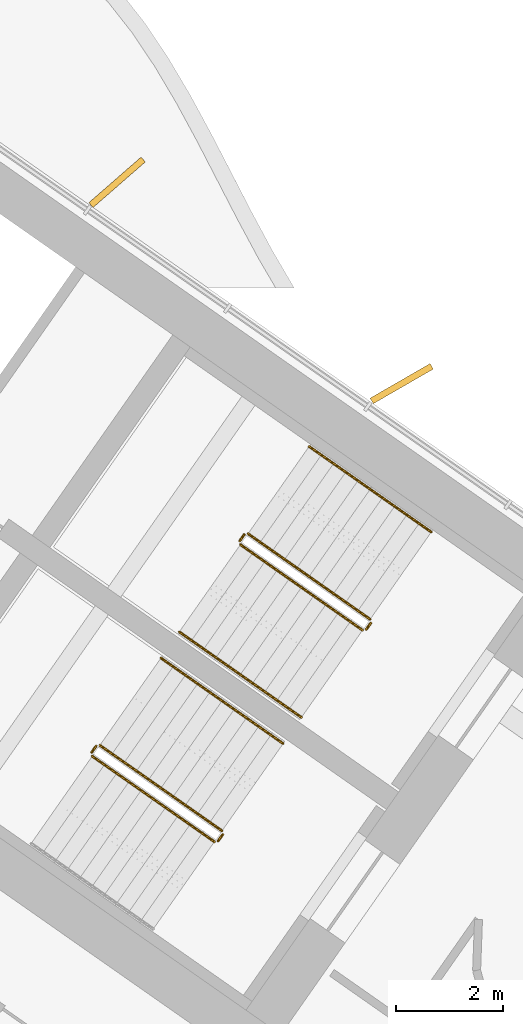
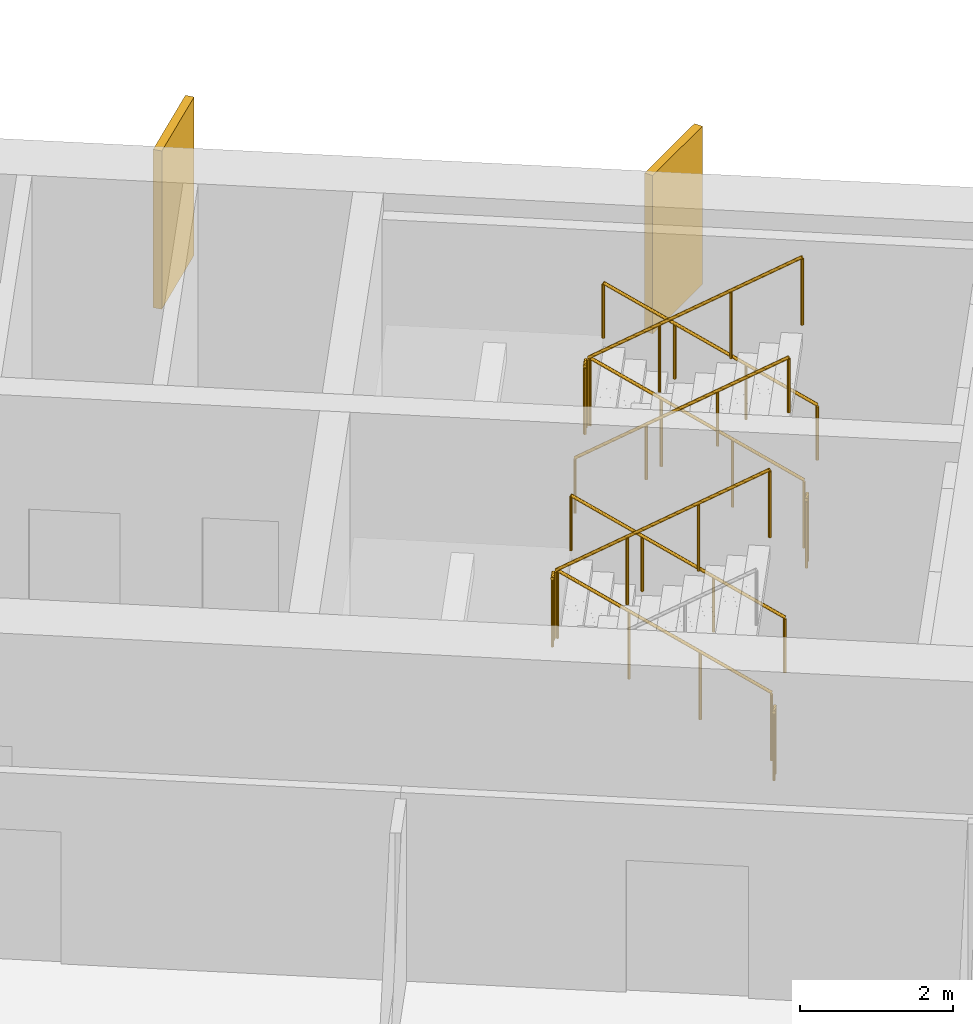
# One storey, part 20 of 21: 11 railings, 2 shading devices.
"""IFC4 building model written with IfcOpenShell, lengths in metres."""

import ifcopenshell
import ifcopenshell.guid

model = None  # the IFC model being written
_history = None  # IfcOwnerHistory: only IFC2X3 demands one
_inside = {}  # id of a spatial element -> (the spatial element, [elements in it])
_under = {}  # id of a project, library or spatial element -> (it, [spatial elements below it])
_declared = {}  # id of a project -> (the project, [libraries it declares])
_typed = {}  # id of a type object -> (the type object, [elements of that type])
_made_of = {}  # id of a material, layer set ... -> (it, [elements and type objects made of it])


def new_model(schema):
    """Start an empty IFC model of exactly this schema.

    Asked for "IFC4X3", IfcOpenShell would pick the latest addendum, in which some entities
    have other attributes; the version numbers below select the first issue.
    IFC2X3 requires an IfcOwnerHistory on every rooted entity: one is made here for all.
    """
    global model, _history
    if schema == "IFC4X3":
        model = ifcopenshell.file(schema_version=(4, 3, 0, 0))
    else:
        model = ifcopenshell.file(schema=schema)
    _inside.clear()
    _under.clear()
    _declared.clear()
    _typed.clear()
    _made_of.clear()
    _history = None
    if model.schema == "IFC2X3":
        org = make("IfcOrganization", Name="unknown")
        user = make(
            "IfcPersonAndOrganization",
            ThePerson=make("IfcPerson", FamilyName="unknown"),
            TheOrganization=org,
        )
        app = make(
            "IfcApplication",
            ApplicationDeveloper=org,
            Version="unknown",
            ApplicationFullName="unknown",
            ApplicationIdentifier="unknown",
        )
        _history = make(
            "IfcOwnerHistory",
            OwningUser=user,
            OwningApplication=app,
            ChangeAction="ADDED",
            CreationDate=0,
        )
    return model


def make(cls, **values):
    """One entity of the class cls with the attributes given. An attribute that is None is left unset."""
    return model.create_entity(
        cls, **{name: value for name, value in values.items() if value is not None}
    )


def rooted(cls, **values):
    """An entity with a GlobalId (a new one), such as an element, a storey or a relation."""
    return make(cls, GlobalId=ifcopenshell.guid.new(), OwnerHistory=_history, **values)


def si_unit(unit_type, name, prefix=None):
    """IfcSIUnit, for example si_unit("LENGTHUNIT", "METRE", prefix="MILLI")."""
    return make("IfcSIUnit", UnitType=unit_type, Prefix=prefix, Name=name)


def assignment(units):
    """IfcUnitAssignment: the units of a project."""
    return None if units is None else make("IfcUnitAssignment", Units=units)


def point(xyz):
    """IfcCartesianPoint."""
    return None if xyz is None else make("IfcCartesianPoint", Coordinates=xyz)


def direction(xyz):
    """IfcDirection."""
    return None if xyz is None else make("IfcDirection", DirectionRatios=xyz)


def frame(location, z_axis=None, x_axis=None):
    """IfcAxis2Placement3D, a coordinate frame: its origin and axes. An axis left out is left unset."""
    return make(
        "IfcAxis2Placement3D",
        Location=point(location),
        Axis=direction(z_axis),
        RefDirection=direction(x_axis),
    )


def frame_2d(location, x_axis=None):
    """IfcAxis2Placement2D, a coordinate frame in the plane: its origin and x axis."""
    return make(
        "IfcAxis2Placement2D", Location=point(location), RefDirection=direction(x_axis)
    )


def origin():
    """The frame at (0, 0, 0) with its axes left unset."""
    return frame((0.0, 0.0, 0.0))


def origin_2d():
    """The frame at (0, 0) in the plane with its x axis left unset."""
    return frame_2d((0.0, 0.0))


def place(relative_to, where):
    """IfcLocalPlacement: puts the frame where relative to a parent placement (None: the world)."""
    return make(
        "IfcLocalPlacement", PlacementRelTo=relative_to, RelativePlacement=where
    )


def context(
    kind, dimensions, precision=None, world=None, true_north=None, identifier=None
):
    """IfcGeometricRepresentationContext, for example the 3D "Model" context."""
    return make(
        "IfcGeometricRepresentationContext",
        ContextIdentifier=identifier,
        ContextType=kind,
        CoordinateSpaceDimension=dimensions,
        Precision=precision,
        WorldCoordinateSystem=world,
        TrueNorth=true_north,
    )


def subcontext(parent, identifier, kind, view, scale=None):
    """IfcGeometricRepresentationSubContext, for example "Body" below "Model"."""
    return make(
        "IfcGeometricRepresentationSubContext",
        ContextIdentifier=identifier,
        ContextType=kind,
        ParentContext=parent,
        TargetScale=scale,
        TargetView=view,
    )


def project(units=None, contexts=None):
    """IfcProject with its units and contexts."""
    return rooted(
        "IfcProject",
        Name="project",
        RepresentationContexts=contexts,
        UnitsInContext=assignment(units),
    )


def spatial(cls, under=None, at=None, **own):
    """A site, building, storey or space (cls), placed at a placement, below another one or the project."""
    s = rooted(cls, ObjectPlacement=at, **own)
    if under is not None:
        _under.setdefault(under.id(), (under, []))[1].append(s)
    return s


def profile(cls, at=None, kind="AREA", **sizes):
    """A parametric profile (cls). Its sizes go by their IFC names, for example OverallWidth=200.0."""
    return make(cls, ProfileType=kind, Position=at, **sizes)


def rectangle(**sizes):
    """IfcRectangleProfileDef."""
    return profile("IfcRectangleProfileDef", **sizes)


def circle(**sizes):
    """IfcCircleProfileDef."""
    return profile("IfcCircleProfileDef", **sizes)


def extrude(swept, where, along, depth):
    """IfcExtrudedAreaSolid: the profile swept, set in the frame where, extruded along a direction by depth."""
    return make(
        "IfcExtrudedAreaSolid",
        SweptArea=swept,
        Position=where,
        ExtrudedDirection=direction(along),
        Depth=depth,
    )


def shape(context_of_items, identifier, shape_type, items):
    """IfcShapeRepresentation: the items that make up one representation, for example the "Body"."""
    return make(
        "IfcShapeRepresentation",
        ContextOfItems=context_of_items,
        RepresentationIdentifier=identifier,
        RepresentationType=shape_type,
        Items=items,
    )


def material(Name=None, Category=None):
    """IfcMaterial."""
    return make("IfcMaterial", Name=Name, Category=Category)


def layer(
    of_material, thickness, ventilated=None, Name=None, Category=None, Priority=None
):
    """IfcMaterialLayer: one layer of a wall or slab, of a material (None: an air gap)."""
    return make(
        "IfcMaterialLayer",
        Material=of_material,
        LayerThickness=thickness,
        IsVentilated=ventilated,
        Name=Name,
        Category=Category,
        Priority=Priority,
    )


def layer_set(layers, Name=None):
    """IfcMaterialLayerSet."""
    return make("IfcMaterialLayerSet", MaterialLayers=layers, LayerSetName=Name)


def made_of(thing, what):
    """Note that an element or type object is made of a material, layer set ...; save() writes the relation."""
    if what is not None:
        _made_of.setdefault(what.id(), (what, []))[1].append(thing)
    return thing


def type_object(cls, material=None, **own):
    """A type object (cls), such as IfcWallType, which elements share."""
    return made_of(rooted(cls, **own), material)


def element(
    cls,
    number,
    at=None,
    inside=None,
    cuts=None,
    type_object=None,
    material=None,
    context=None,
    identifier="Body",
    shape_type=None,
    held_by="IfcProductDefinitionShape",
    body=None,
    shapes=None,
    **own,
):
    """One element of the class cls, such as IfcWall. Its Tag is "e" and its number.

    at: its placement. inside: the storey or other place that contains it. cuts: it is an
    opening in that element (IfcRelVoidsElement). A single representation is given by context,
    identifier, shape_type and body (its items); several are given by shapes. held_by: the class
    of the entity that holds the representations. save() writes the other relations.
    """
    e = rooted(cls, Tag="e%d" % number, ObjectPlacement=at, **own)
    if body is not None:
        shapes = [shape(context, identifier, shape_type, body)]
    if shapes is not None:
        e.Representation = make(held_by, Representations=shapes)
    if inside is not None:
        _inside.setdefault(inside.id(), (inside, []))[1].append(e)
    if cuts is not None:
        rooted(
            "IfcRelVoidsElement", RelatingBuildingElement=cuts, RelatedOpeningElement=e
        )
    if type_object is not None:
        _typed.setdefault(type_object.id(), (type_object, []))[1].append(e)
    return made_of(e, material)


def aggregate(whole, parts):
    """IfcRelAggregates: a whole, such as a stair, and the parts it consists of."""
    return rooted("IfcRelAggregates", RelatingObject=whole, RelatedObjects=parts)


def save(model, path):
    """Write the relations noted so far, then the file.

    IfcRelAggregates (storeys below a building ...), IfcRelContainedInSpatialStructure (elements
    in a storey), IfcRelDefinesByType, IfcRelAssociatesMaterial and IfcRelDeclares: one each for
    every whole, place, type object, material and project.
    """
    for whole, parts in _under.values():
        aggregate(whole, parts)
    for where, things in _inside.values():
        rooted(
            "IfcRelContainedInSpatialStructure",
            RelatedElements=things,
            RelatingStructure=where,
        )
    for kind, things in _typed.values():
        rooted("IfcRelDefinesByType", RelatedObjects=things, RelatingType=kind)
    for what, things in _made_of.values():
        rooted("IfcRelAssociatesMaterial", RelatedObjects=things, RelatingMaterial=what)
    for by, libraries in _declared.values():
        rooted("IfcRelDeclares", RelatingContext=by, RelatedDefinitions=libraries)
    model.write(path)


model = new_model("IFC4")

# Units and contexts
model_context = context("Model", 3, precision=1e-05, world=origin(), true_north=direction((0.0, 1.0)))
body_context = subcontext(model_context, "Body", "Model", "MODEL_VIEW")
ifc_project = project(units=[si_unit("LENGTHUNIT", "METRE"), si_unit("AREAUNIT", "SQUARE_METRE"), si_unit("VOLUMEUNIT", "CUBIC_METRE"), si_unit("PLANEANGLEUNIT", "RADIAN"), si_unit("MASSUNIT", "GRAM", prefix="KILO")], contexts=[model_context])

# Site, building, storey
site_placement = place(None, origin())
site = spatial("IfcSite", under=ifc_project, at=site_placement, CompositionType="ELEMENT")
building_placement = place(site_placement, origin())
building = spatial("IfcBuilding", under=site, at=building_placement, Name="Tel Ilan Convention Tower", CompositionType="ELEMENT")
storey_placement = place(building_placement, frame((0.0, 0.0, 206.10009765625)))
storey = spatial("IfcBuildingStorey", under=building, at=storey_placement, Name="L48", CompositionType="ELEMENT", Elevation=206.10009765625)

# Shading devices
ifc_material_1 = material(Name="Aluminium, bronze anodised", Category="aluminium")
ifc_layer = layer(ifc_material_1, 0.1201171875)
ifc_layer_set = layer_set([ifc_layer], Name="FIN BRONZE 1300x120")
shading_device_type = type_object("IfcShadingDeviceType", Name="FIN BRONZE 1300x120", PredefinedType="USERDEFINED", material=ifc_layer_set)
for number, where, z_axis, x_axis, name in (
    (1, (24.270751953125, -3.427001953125, 1.099853515625), (0.0, 0.0, 1.0), (0.866025403784, 0.5, 0.0), "FIN"),
    (2, (18.926025390625, 0.353271484375, 1.099853515625), (0.0, 0.0, 1.0), (0.753435896329, 0.657521368568, 0.0), "FIN"),
):
    element("IfcShadingDevice", number, at=place(storey_placement, frame(where, z_axis=z_axis, x_axis=x_axis)), inside=storey, type_object=shading_device_type, Name=name, ObjectType="FIN", PredefinedType="USERDEFINED", context=body_context, shape_type="SweptSolid", body=[
        extrude(rectangle(XDim=1.300048828125, YDim=0.1201171875, at=origin_2d()), origin(), (0.0, 0.0, 1.0), 2.52001953125),
    ])

# Railings
ifc_material_2 = material(Name="Stainless Steel Grade 316", Category="steel")
railing_type_1 = type_object("IfcRailingType", Name="Stainless Steel Stair Guard 1100 mm", PredefinedType="GUARDRAIL", material=ifc_material_2)
railing_1_placement = place(storey_placement, frame((23.6787109375, -7.8515625, 0.17724609375)))
element("IfcRailing", 3, at=railing_1_placement, inside=storey, type_object=railing_type_1, Name="L48 S3 stair guard 1", PredefinedType="GUARDRAIL", context=body_context, shape_type="SweptSolid", body=[
    extrude(circle(Radius=0.02392578125, at=origin_2d()), frame((0.0, 0.0, 1.076171875), z_axis=(-0.692084706163, 0.484621375041, 0.534940073605), x_axis=(-0.573591086599, -0.819141785879, 0.0)), (0.0, 0.0, 1.0), 3.313720703125),
    extrude(circle(Radius=0.02099609375, at=origin_2d()), origin(), (0.0, 0.0, 1.0), 1.052001953125),
    extrude(circle(Radius=0.02099609375, at=origin_2d()), frame((-0.764404296875, 0.535400390625, 0.5908203125)), (0.0, 0.0, 1.0), 1.052001953125),
    extrude(circle(Radius=0.02099609375, at=origin_2d()), frame((-1.529052734375, 1.070556640625, 1.181884765625)), (0.0, 0.0, 1.0), 1.052001953125),
    extrude(circle(Radius=0.02099609375, at=origin_2d()), frame((-2.29345703125, 1.60595703125, 1.772705078125)), (0.0, 0.0, 1.0), 1.052001953125),
])
railing_2_placement = place(storey_placement, frame((21.3154296875, -6.2578125, 1.949951171875)))
element("IfcRailing", 4, at=railing_2_placement, inside=storey, type_object=railing_type_1, Name="L48 S3 stair guard 2", PredefinedType="GUARDRAIL", context=body_context, shape_type="SweptSolid", body=[
    extrude(circle(Radius=0.02392578125, at=origin_2d()), frame((0.0, 0.0, 1.076171875), z_axis=(-0.573353020881, -0.819308436089, 0.0), x_axis=(0.819308436089, -0.573353020881, 0.0)), (0.0, 0.0, 1.0), 0.14990234375),
    extrude(circle(Radius=0.02099609375, at=origin_2d()), origin(), (0.0, 0.0, 1.0), 1.052001953125),
    extrude(circle(Radius=0.02099609375, at=origin_2d()), frame((-0.0859375, -0.122802734375, 0.0)), (0.0, 0.0, 1.0), 1.052001953125),
])
railing_3_placement = place(storey_placement, frame((21.24169921875, -6.4501953125, 2.127197265625)))
element("IfcRailing", 5, at=railing_3_placement, inside=storey, type_object=railing_type_1, Name="L48 S3 stair guard 3", PredefinedType="GUARDRAIL", context=body_context, shape_type="SweptSolid", body=[
    extrude(circle(Radius=0.02392578125, at=origin_2d()), frame((0.0, 0.0, 1.076171875), z_axis=(0.692098378994, -0.484653031975, 0.534893701956), x_axis=(0.573608623498, 0.819129505664, 0.0)), (0.0, 0.0, 1.0), 3.314208984375),
    extrude(circle(Radius=0.02099609375, at=origin_2d()), origin(), (0.0, 0.0, 1.0), 1.052001953125),
    extrude(circle(Radius=0.02099609375, at=origin_2d()), frame((0.7646484375, -0.535400390625, 0.5908203125)), (0.0, 0.0, 1.0), 1.052001953125),
    extrude(circle(Radius=0.02099609375, at=origin_2d()), frame((1.529052734375, -1.07080078125, 1.181884765625)), (0.0, 0.0, 1.0), 1.052001953125),
    extrude(circle(Radius=0.02099609375, at=origin_2d()), frame((2.293701171875, -1.606201171875, 1.772705078125)), (0.0, 0.0, 1.0), 1.052001953125),
])
railing_4_placement = place(storey_placement, frame((23.691162109375, -7.921142578125, 0.0)))
element("IfcRailing", 6, at=railing_4_placement, inside=storey, type_object=railing_type_1, Name="L48 S3 stair guard 4", PredefinedType="GUARDRAIL", context=body_context, shape_type="SweptSolid", body=[
    extrude(circle(Radius=0.02392578125, at=origin_2d()), frame((0.0, 0.0, 1.076171875), z_axis=(-0.574444878118, -0.818543268254, 0.0), x_axis=(0.818543268254, -0.574444878118, 0.0)), (0.0, 0.0, 1.0), 0.150146484375),
    extrude(circle(Radius=0.02099609375, at=origin_2d()), origin(), (0.0, 0.0, 1.0), 1.052001953125),
    extrude(circle(Radius=0.02099609375, at=origin_2d()), frame((-0.086181640625, -0.122802734375, 0.0)), (0.0, 0.0, 1.0), 1.052001953125),
])
railing_5_placement = place(storey_placement, frame((20.89697265625, -11.824462890625, 0.17724609375)))
element("IfcRailing", 7, at=railing_5_placement, inside=storey, type_object=railing_type_1, Name="L48 S4 stair guard 1", PredefinedType="GUARDRAIL", context=body_context, shape_type="SweptSolid", body=[
    extrude(circle(Radius=0.02392578125, at=origin_2d()), frame((0.0, 0.0, 1.076171875), z_axis=(-0.692123088272, 0.484596665743, 0.534912798717), x_axis=(-0.573550118428, -0.819170471667, 0.0)), (0.0, 0.0, 1.0), 3.31396484375),
    extrude(circle(Radius=0.02099609375, at=origin_2d()), origin(), (0.0, 0.0, 1.0), 1.052001953125),
    extrude(circle(Radius=0.02099609375, at=origin_2d()), frame((-0.7646484375, 0.535400390625, 0.5908203125)), (0.0, 0.0, 1.0), 1.052001953125),
    extrude(circle(Radius=0.02099609375, at=origin_2d()), frame((-1.529052734375, 1.070556640625, 1.181884765625)), (0.0, 0.0, 1.0), 1.052001953125),
    extrude(circle(Radius=0.02099609375, at=origin_2d()), frame((-2.293701171875, 1.60595703125, 1.772705078125)), (0.0, 0.0, 1.0), 1.052001953125),
])
railing_6_placement = place(storey_placement, frame((18.53369140625, -10.230712890625, 1.949951171875)))
element("IfcRailing", 8, at=railing_6_placement, inside=storey, type_object=railing_type_1, Name="L48 S4 stair guard 2", PredefinedType="GUARDRAIL", context=body_context, shape_type="SweptSolid", body=[
    extrude(circle(Radius=0.02392578125, at=origin_2d()), frame((0.0, 0.0, 1.076171875), z_axis=(-0.573353020881, -0.819308436089, 0.0), x_axis=(0.819308436089, -0.573353020881, 0.0)), (0.0, 0.0, 1.0), 0.14990234375),
    extrude(circle(Radius=0.02099609375, at=origin_2d()), origin(), (0.0, 0.0, 1.0), 1.052001953125),
    extrude(circle(Radius=0.02099609375, at=origin_2d()), frame((-0.0859375, -0.122802734375, 0.0)), (0.0, 0.0, 1.0), 1.052001953125),
])
railing_7_placement = place(storey_placement, frame((18.4599609375, -10.423095703125, 2.127197265625)))
element("IfcRailing", 9, at=railing_7_placement, inside=storey, type_object=railing_type_1, Name="L48 S4 stair guard 3", PredefinedType="GUARDRAIL", context=body_context, shape_type="SweptSolid", body=[
    extrude(circle(Radius=0.02392578125, at=origin_2d()), frame((0.0, 0.0, 1.076171875), z_axis=(0.692098378994, -0.484653031975, 0.534893701956), x_axis=(0.573608623498, 0.819129505664, 0.0)), (0.0, 0.0, 1.0), 3.314208984375),
    extrude(circle(Radius=0.02099609375, at=origin_2d()), origin(), (0.0, 0.0, 1.0), 1.052001953125),
    extrude(circle(Radius=0.02099609375, at=origin_2d()), frame((0.7646484375, -0.535400390625, 0.5908203125)), (0.0, 0.0, 1.0), 1.052001953125),
    extrude(circle(Radius=0.02099609375, at=origin_2d()), frame((1.529052734375, -1.07080078125, 1.181884765625)), (0.0, 0.0, 1.0), 1.052001953125),
    extrude(circle(Radius=0.02099609375, at=origin_2d()), frame((2.293701171875, -1.606201171875, 1.772705078125)), (0.0, 0.0, 1.0), 1.052001953125),
])
railing_8_placement = place(storey_placement, frame((20.9091796875, -11.89404296875, 0.0)))
element("IfcRailing", 10, at=railing_8_placement, inside=storey, type_object=railing_type_1, Name="L48 S4 stair guard 4", PredefinedType="GUARDRAIL", context=body_context, shape_type="SweptSolid", body=[
    extrude(circle(Radius=0.02392578125, at=origin_2d()), frame((0.0, 0.0, 1.076171875), z_axis=(-0.573353020881, -0.819308436089, 0.0), x_axis=(0.819308436089, -0.573353020881, 0.0)), (0.0, 0.0, 1.0), 0.14990234375),
    extrude(circle(Radius=0.02099609375, at=origin_2d()), origin(), (0.0, 0.0, 1.0), 1.052001953125),
    extrude(circle(Radius=0.02099609375, at=origin_2d()), frame((-0.0859375, -0.122802734375, 0.0)), (0.0, 0.0, 1.0), 1.052001953125),
])
ifc_material_3 = material(Name="Stainless Steel Grade 316", Category="steel")
railing_type_2 = type_object("IfcRailingType", Name="Stainless Steel Stair Handrail 900 mm", PredefinedType="HANDRAIL", material=ifc_material_3)
railing_9_placement = place(storey_placement, frame((24.825927734375, -6.213134765625, 0.17724609375)))
element("IfcRailing", 11, at=railing_9_placement, inside=storey, type_object=railing_type_2, Name="L48 S3 stair handrail 1", PredefinedType="HANDRAIL", context=body_context, shape_type="SweptSolid", body=[
    extrude(circle(Radius=0.02392578125, at=origin_2d()), frame((0.0, 0.0, 0.8759765625), z_axis=(-0.692123088272, 0.484596665743, 0.534912798717), x_axis=(-0.573550118428, -0.819170471667, 0.0)), (0.0, 0.0, 1.0), 3.31396484375),
    extrude(circle(Radius=0.02099609375, at=origin_2d()), origin(), (0.0, 0.0, 1.0), 0.851806640625),
    extrude(circle(Radius=0.02099609375, at=origin_2d()), frame((-0.7646484375, 0.535400390625, 0.5908203125)), (0.0, 0.0, 1.0), 0.851806640625),
    extrude(circle(Radius=0.02099609375, at=origin_2d()), frame((-1.529052734375, 1.070556640625, 1.181884765625)), (0.0, 0.0, 1.0), 0.851806640625),
    extrude(circle(Radius=0.02099609375, at=origin_2d()), frame((-2.293701171875, 1.60595703125, 1.772705078125)), (0.0, 0.0, 1.0), 0.851806640625),
])
railing_10_placement = place(storey_placement, frame((20.0947265625, -8.088623046875, 2.127197265625)))
element("IfcRailing", 12, at=railing_10_placement, inside=storey, type_object=railing_type_2, Name="L48 S3 stair handrail 2", PredefinedType="HANDRAIL", context=body_context, shape_type="SweptSolid", body=[
    extrude(circle(Radius=0.02392578125, at=origin_2d()), frame((0.0, 0.0, 0.8759765625), z_axis=(0.692084706163, -0.484621375041, 0.534940073605), x_axis=(0.573591086599, 0.819141785879, 0.0)), (0.0, 0.0, 1.0), 3.313720703125),
    extrude(circle(Radius=0.02099609375, at=origin_2d()), origin(), (0.0, 0.0, 1.0), 0.851806640625),
    extrude(circle(Radius=0.02099609375, at=origin_2d()), frame((0.764404296875, -0.535400390625, 0.5908203125)), (0.0, 0.0, 1.0), 0.851806640625),
    extrude(circle(Radius=0.02099609375, at=origin_2d()), frame((1.529052734375, -1.070556640625, 1.181884765625)), (0.0, 0.0, 1.0), 0.851806640625),
    extrude(circle(Radius=0.02099609375, at=origin_2d()), frame((2.29345703125, -1.60595703125, 1.772705078125)), (0.0, 0.0, 1.0), 0.851806640625),
])
railing_11_placement = place(storey_placement, frame((22.044189453125, -10.18603515625, 0.17724609375)))
element("IfcRailing", 13, at=railing_11_placement, inside=storey, type_object=railing_type_2, Name="L48 S4 stair handrail 1", PredefinedType="HANDRAIL", context=body_context, shape_type="SweptSolid", body=[
    extrude(circle(Radius=0.02392578125, at=origin_2d()), frame((0.0, 0.0, 0.8759765625), z_axis=(-0.692123088272, 0.484596665743, 0.534912798717), x_axis=(-0.573550118428, -0.819170471667, 0.0)), (0.0, 0.0, 1.0), 3.31396484375),
    extrude(circle(Radius=0.02099609375, at=origin_2d()), origin(), (0.0, 0.0, 1.0), 0.851806640625),
    extrude(circle(Radius=0.02099609375, at=origin_2d()), frame((-0.7646484375, 0.535400390625, 0.5908203125)), (0.0, 0.0, 1.0), 0.851806640625),
    extrude(circle(Radius=0.02099609375, at=origin_2d()), frame((-1.529052734375, 1.070556640625, 1.181884765625)), (0.0, 0.0, 1.0), 0.851806640625),
    extrude(circle(Radius=0.02099609375, at=origin_2d()), frame((-2.293701171875, 1.60595703125, 1.772705078125)), (0.0, 0.0, 1.0), 0.851806640625),
])

save(model, "model.ifc")
